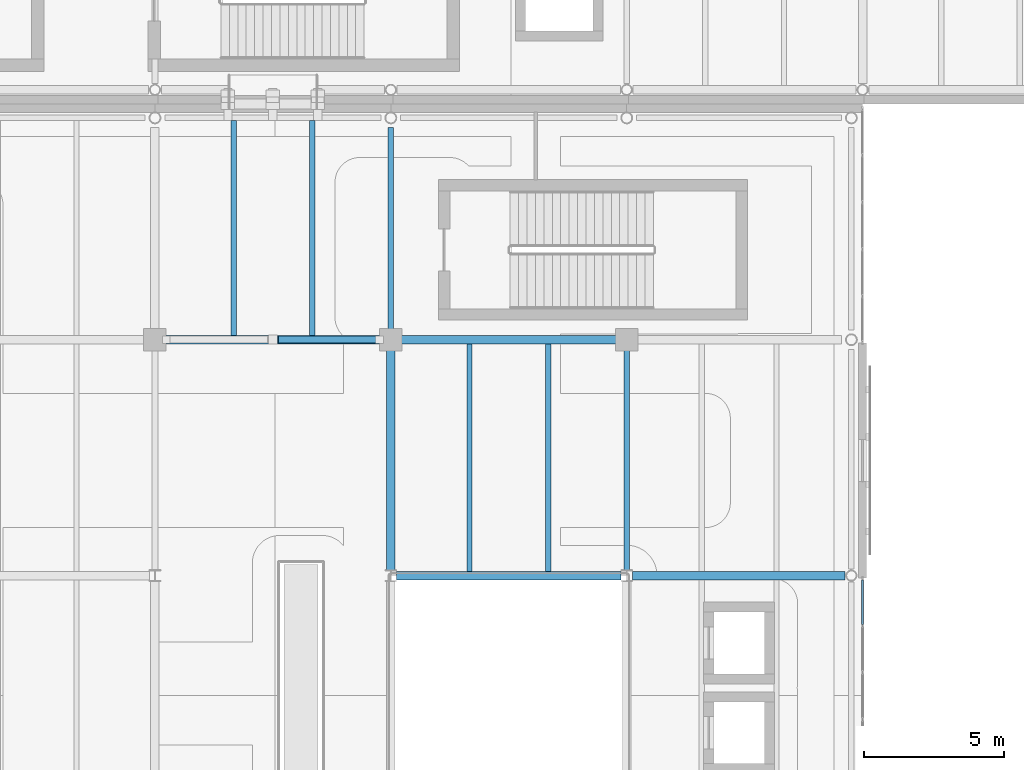
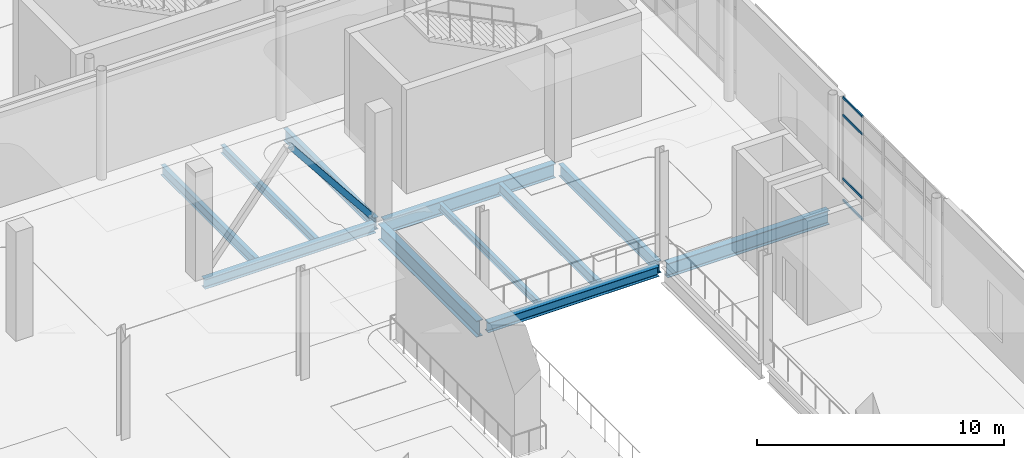
# One storey, part 40 of 110: 11 beams, 5 members, 1 element without a shape of its own.
"""IFC4 building model written with IfcOpenShell, lengths in metres."""

from ifc_helpers import new_model, si_unit, direction, frame, origin, origin_2d, place, context, subcontext, project, spatial, hollow_rectangle, i_section, extrude, material, layer, layer_set, material_profile, profile_set, type_object, element, aggregate, save


model = new_model("IFC4")

# Units and contexts
model_context = context("Model", 3, precision=1e-05, world=origin(), true_north=direction((0.0, 1.0)))
body_context = subcontext(model_context, "Body", "Model", "MODEL_VIEW")
ifc_project = project(units=[si_unit("LENGTHUNIT", "METRE"), si_unit("AREAUNIT", "SQUARE_METRE"), si_unit("VOLUMEUNIT", "CUBIC_METRE"), si_unit("PLANEANGLEUNIT", "RADIAN"), si_unit("MASSUNIT", "GRAM", prefix="KILO"), si_unit("THERMODYNAMICTEMPERATUREUNIT", "KELVIN")], contexts=[model_context])

# Site, building, storey
site_placement = place(None, origin())
site = spatial("IfcSite", under=ifc_project, at=site_placement, CompositionType="ELEMENT")
building_placement = place(site_placement, origin())
building = spatial("IfcBuilding", under=site, at=building_placement, Name="Lustrewick Department Store", CompositionType="ELEMENT")
storey_placement = place(building_placement, frame((0.0, 0.0, 6.0)))
storey = spatial("IfcBuildingStorey", under=building, at=storey_placement, Name="L02", CompositionType="ELEMENT", Elevation=6.0)

# Beams
ifc_material_1 = material(Name="Structural steel Q355B", Category="steel")
ifc_material_profile_1 = material_profile(ifc_material_1, i_section(OverallWidth=0.199951171875, OverallDepth=0.5, WebThickness=0.010009765625, FlangeThickness=0.01611328125, FilletRadius=0.01611328125, at=origin_2d()), Name="HN 500x200x10x16")
ifc_profile_set_1 = profile_set([ifc_material_profile_1], Name="Structural steel Q355B")
beam_type_1 = type_object("IfcBeamType", Name="B01", PredefinedType="JOIST", material=ifc_profile_set_1)
beam_1_placement = place(storey_placement, frame((140.0, 33.75, -0.5048828125), z_axis=(0.0, 1.0, 0.0), x_axis=(-1.0, 0.0, 0.0)))
element("IfcBeam", 1, at=beam_1_placement, inside=storey, type_object=beam_type_1, Name="L02 V3 Secondary Joist B01", PredefinedType="JOIST", context=body_context, shape_type="SweptSolid", body=[
    extrude(i_section(OverallWidth=0.199951171875, OverallDepth=0.5, WebThickness=0.010009765625, FlangeThickness=0.01611328125, FilletRadius=0.01611328125, at=origin_2d()), origin(), (0.0, 0.0, 1.0), 8.10009765625),
])
ifc_material_profile_2 = material_profile(ifc_material_1, i_section(OverallWidth=0.198974609375, OverallDepth=0.49609375, WebThickness=0.009033203125, FlangeThickness=0.013916015625, FilletRadius=0.01611328125, at=origin_2d()), Name="HN 496x199x9x14")
ifc_profile_set_2 = profile_set([ifc_material_profile_2], Name="Structural steel Q355B")
beam_type_2 = type_object("IfcBeamType", Name="B02", PredefinedType="JOIST", material=ifc_profile_set_2)
beam_2_placement = place(storey_placement, frame((128.800048828125, 42.14990234375, -0.5029296875), z_axis=(0.0, 1.0, 0.0), x_axis=(-1.0, 0.0, 0.0)))
element("IfcBeam", 2, at=beam_2_placement, inside=storey, type_object=beam_type_2, Name="L02 V3 Secondary Joist B02", PredefinedType="JOIST", context=body_context, shape_type="SweptSolid", body=[
    extrude(i_section(OverallWidth=0.198974609375, OverallDepth=0.49609375, WebThickness=0.009033203125, FlangeThickness=0.013916015625, FilletRadius=0.01611328125, at=origin_2d()), origin(), (0.0, 0.0, 1.0), 7.649658203125),
])
ifc_material_profile_3 = material_profile(ifc_material_1, i_section(OverallWidth=0.198974609375, OverallDepth=0.39599609375, WebThickness=0.007080078125, FlangeThickness=0.010986328125, FilletRadius=0.013916015625, at=origin_2d()), Name="HN 396x199x7x11")
ifc_profile_set_3 = profile_set([ifc_material_profile_3], Name="Structural steel Q355B")
beam_type_3 = type_object("IfcBeamType", Name="B06", PredefinedType="JOIST", material=ifc_profile_set_3)
beam_3_placement = place(storey_placement, frame((131.60009765625, 42.14990234375, -0.452880859375), z_axis=(0.0, 1.0, 0.0), x_axis=(-1.0, 0.0, 0.0)))
element("IfcBeam", 3, at=beam_3_placement, inside=storey, type_object=beam_type_3, Name="L02 V3 Secondary Joist B06", PredefinedType="JOIST", context=body_context, shape_type="SweptSolid", body=[
    extrude(i_section(OverallWidth=0.198974609375, OverallDepth=0.39599609375, WebThickness=0.007080078125, FlangeThickness=0.010986328125, FilletRadius=0.013916015625, at=origin_2d()), origin(), (0.0, 0.0, 1.0), 7.649658203125),
])
ifc_material_profile_4 = material_profile(ifc_material_1, i_section(OverallWidth=0.174072265625, OverallDepth=0.345947265625, WebThickness=0.006103515625, FlangeThickness=0.009033203125, FilletRadius=0.012939453125, at=origin_2d()), Name="HN 346x174x6x9")
ifc_profile_set_4 = profile_set([ifc_material_profile_4], Name="Structural steel Q355B")
beam_type_4 = type_object("IfcBeamType", Name="B10", PredefinedType="JOIST", material=ifc_profile_set_4)
beam_4_placement = place(storey_placement, frame((137.199951171875, 33.75, -0.427978515625), z_axis=(0.0, 1.0, 0.0), x_axis=(-1.0, 0.0, 0.0)))
element("IfcBeam", 4, at=beam_4_placement, inside=storey, type_object=beam_type_4, Name="L02 V3 Secondary Joist B10", PredefinedType="JOIST", context=body_context, shape_type="SweptSolid", body=[
    extrude(i_section(OverallWidth=0.174072265625, OverallDepth=0.345947265625, WebThickness=0.006103515625, FlangeThickness=0.009033203125, FilletRadius=0.012939453125, at=origin_2d()), origin(), (0.0, 0.0, 1.0), 8.10009765625),
])

# Member
ifc_material_2 = material(Name="Structural steel Q355C", Category="steel")
ifc_material_profile_5 = material_profile(ifc_material_2, hollow_rectangle(XDim=0.25, YDim=0.25, WallThickness=0.010009765625, at=origin_2d()), Name="SHS 250x250x10")
ifc_profile_set_5 = profile_set([ifc_material_profile_5], Name="Structural steel Q355C")
member_type_1 = type_object("IfcMemberType", Name="BR07", PredefinedType="BRACE", material=ifc_profile_set_5)
member_1_placement = place(storey_placement, frame((134.0, 42.0, 0.14990234375), z_axis=(-0.623044181837, 0.0, 0.782186644912), x_axis=(0.0, -1.0, 0.0)))
element("IfcMember", 5, at=member_1_placement, inside=storey, type_object=member_type_1, Name="L02 V3 Chevron Brace BR07", PredefinedType="BRACE", context=body_context, shape_type="SweptSolid", body=[
    extrude(hollow_rectangle(XDim=0.25, YDim=0.25, WallThickness=0.010009765625, at=origin_2d()), origin(), (0.0, 0.0, 1.0), 5.9384765625),
])

# Curtain wall, members
ifc_material_3 = material(Name="Thermally broken aluminium 6063-T5", Category="aluminium")
ifc_layer = layer(ifc_material_3, 0.14990234375, Name="Thermally broken aluminium 6063-T5")
ifc_layer_set = layer_set([ifc_layer], Name="Thermally broken aluminium 6063-T5")
curtain_wall_type = type_object("IfcCurtainWallType", Name="CW05", PredefinedType="NOTDEFINED", material=ifc_layer_set)
curtain_wall_placement = place(storey_placement, origin())
curtain_wall = element("IfcCurtainWall", 6, at=curtain_wall_placement, inside=storey, type_object=curtain_wall_type, Name="L02 V3 Curtain Wall CW05", PredefinedType="NOTDEFINED")
ifc_material_profile_6 = material_profile(ifc_material_3, hollow_rectangle(XDim=0.06005859375, YDim=0.110107421875, WallThickness=0.0029296875, at=origin_2d()), Name="ALU-T 60x110x3")
ifc_profile_set_6 = profile_set([ifc_material_profile_6], Name="Thermally broken aluminium 6063-T5")
member_type_2 = type_object("IfcMemberType", Name="CW05-T1", PredefinedType="USERDEFINED", material=ifc_profile_set_6)
member_2_placement = place(storey_placement, frame((151.199951171875, 31.865966796875, 0.030029296875), z_axis=(0.0, 1.0, 0.0), x_axis=(-1.0, 0.0, 0.0)))
member_2 = element("IfcMember", 7, at=member_2_placement, type_object=member_type_2, Name="CW05 transom 5.1", ObjectType="TRANSOM", PredefinedType="USERDEFINED", context=body_context, shape_type="SweptSolid", body=[
    extrude(hollow_rectangle(XDim=0.06005859375, YDim=0.110107421875, WallThickness=0.0029296875, at=origin_2d()), origin(), (0.0, 0.0, 1.0), 1.583984375),
])
member_3_placement = place(storey_placement, frame((151.199951171875, 31.865966796875, 1.10009765625), z_axis=(0.0, 1.0, 0.0), x_axis=(-1.0, 0.0, 0.0)))
member_3 = element("IfcMember", 8, at=member_3_placement, type_object=member_type_2, Name="CW05 transom 5.2", ObjectType="TRANSOM", PredefinedType="USERDEFINED", context=body_context, shape_type="SweptSolid", body=[
    extrude(hollow_rectangle(XDim=0.06005859375, YDim=0.110107421875, WallThickness=0.0029296875, at=origin_2d()), origin(), (0.0, 0.0, 1.0), 1.583984375),
])
member_4_placement = place(storey_placement, frame((151.199951171875, 31.865966796875, 4.2451171875), z_axis=(0.0, 1.0, 0.0), x_axis=(-1.0, 0.0, 0.0)))
member_4 = element("IfcMember", 9, at=member_4_placement, type_object=member_type_2, Name="CW05 transom 5.3", ObjectType="TRANSOM", PredefinedType="USERDEFINED", context=body_context, shape_type="SweptSolid", body=[
    extrude(hollow_rectangle(XDim=0.06005859375, YDim=0.110107421875, WallThickness=0.0029296875, at=origin_2d()), origin(), (0.0, 0.0, 1.0), 1.583984375),
])
member_5_placement = place(storey_placement, frame((151.199951171875, 31.865966796875, 5.114990234375), z_axis=(0.0, 1.0, 0.0), x_axis=(-1.0, 0.0, 0.0)))
member_5 = element("IfcMember", 10, at=member_5_placement, type_object=member_type_2, Name="CW05 transom 5.4", ObjectType="TRANSOM", PredefinedType="USERDEFINED", context=body_context, shape_type="SweptSolid", body=[
    extrude(hollow_rectangle(XDim=0.06005859375, YDim=0.110107421875, WallThickness=0.0029296875, at=origin_2d()), origin(), (0.0, 0.0, 1.0), 1.583984375),
])
aggregate(curtain_wall, [member_2, member_3, member_4, member_5])

# Beams
ifc_material_profile_7 = material_profile(ifc_material_1, i_section(OverallWidth=0.300048828125, OverallDepth=0.800048828125, WebThickness=0.013916015625, FlangeThickness=0.02587890625, FilletRadius=0.02197265625, at=origin_2d()), Name="HN 800x300x14x26")
ifc_profile_set_7 = profile_set([ifc_material_profile_7], Name="Structural steel Q355B")
beam_type_5 = type_object("IfcBeamType", Name="G05", PredefinedType="BEAM", material=ifc_profile_set_7)
beam_5_placement = place(storey_placement, frame((134.39990234375, 33.806884765625, -0.655029296875), z_axis=(0.0, 1.0, 0.0), x_axis=(-1.0, 0.0, 0.0)))
element("IfcBeam", 11, at=beam_5_placement, inside=storey, type_object=beam_type_5, Name="L02 V3 Girder G05", PredefinedType="BEAM", context=body_context, shape_type="SweptSolid", body=[
    extrude(i_section(OverallWidth=0.300048828125, OverallDepth=0.800048828125, WebThickness=0.013916015625, FlangeThickness=0.02587890625, FilletRadius=0.02197265625, at=origin_2d()), origin(), (0.0, 0.0, 1.0), 7.9931640625),
])
ifc_material_profile_8 = material_profile(ifc_material_1, i_section(OverallWidth=0.300048828125, OverallDepth=0.699951171875, WebThickness=0.012939453125, FlangeThickness=0.02392578125, FilletRadius=0.02001953125, at=origin_2d()), Name="HN 700x300x13x24")
ifc_profile_set_8 = profile_set([ifc_material_profile_8], Name="Structural steel Q355B")
beam_type_6 = type_object("IfcBeamType", Name="G08", PredefinedType="BEAM", material=ifc_profile_set_8)
beam_6_placement = place(storey_placement, frame((143.00244140625, 33.60009765625, -0.60498046875), z_axis=(1.0, 0.0, 0.0), x_axis=(0.0, 1.0, 0.0)))
element("IfcBeam", 12, at=beam_6_placement, inside=storey, type_object=beam_type_6, Name="L02 V3 Girder G08", PredefinedType="BEAM", context=body_context, shape_type="SweptSolid", body=[
    extrude(i_section(OverallWidth=0.300048828125, OverallDepth=0.699951171875, WebThickness=0.012939453125, FlangeThickness=0.02392578125, FilletRadius=0.02001953125, at=origin_2d()), origin(), (0.0, 0.0, 1.0), 7.569091796875),
])
beam_7_placement = place(storey_placement, frame((134.60009765625, 42.0, -0.60498046875), z_axis=(1.0, 0.0, 0.0), x_axis=(0.0, 1.0, 0.0)))
element("IfcBeam", 13, at=beam_7_placement, inside=storey, type_object=beam_type_6, Name="L02 V3 Girder G08", PredefinedType="BEAM", context=body_context, shape_type="SweptSolid", body=[
    extrude(i_section(OverallWidth=0.300048828125, OverallDepth=0.699951171875, WebThickness=0.012939453125, FlangeThickness=0.02392578125, FilletRadius=0.02001953125, at=origin_2d()), origin(), (0.0, 0.0, 1.0), 8.0),
])
ifc_material_profile_9 = material_profile(ifc_material_1, i_section(OverallWidth=0.200927734375, OverallDepth=0.60595703125, WebThickness=0.011962890625, FlangeThickness=0.02001953125, FilletRadius=0.01806640625, at=origin_2d()), Name="HN 606x201x12x20")
ifc_profile_set_9 = profile_set([ifc_material_profile_9], Name="Structural steel Q355B")
beam_type_7 = type_object("IfcBeamType", Name="G13", PredefinedType="BEAM", material=ifc_profile_set_9)
beam_8_placement = place(storey_placement, frame((134.39990234375, 42.199951171875, -0.55810546875), z_axis=(0.0, 1.0, 0.0), x_axis=(-1.0, 0.0, 0.0)))
element("IfcBeam", 14, at=beam_8_placement, inside=storey, type_object=beam_type_7, Name="L02 V3 Girder G13", PredefinedType="BEAM", context=body_context, shape_type="SweptSolid", body=[
    extrude(i_section(OverallWidth=0.200927734375, OverallDepth=0.60595703125, WebThickness=0.011962890625, FlangeThickness=0.02001953125, FilletRadius=0.01806640625, at=origin_2d()), origin(), (0.0, 0.0, 1.0), 7.35009765625),
])
beam_9_placement = place(storey_placement, frame((142.800048828125, 33.806884765625, -0.55810546875), z_axis=(0.0, 1.0, 0.0), x_axis=(-1.0, 0.0, 0.0)))
element("IfcBeam", 15, at=beam_9_placement, inside=storey, type_object=beam_type_7, Name="L02 V3 Girder G13", PredefinedType="BEAM", context=body_context, shape_type="SweptSolid", body=[
    extrude(i_section(OverallWidth=0.200927734375, OverallDepth=0.60595703125, WebThickness=0.011962890625, FlangeThickness=0.02001953125, FilletRadius=0.01806640625, at=origin_2d()), origin(), (0.0, 0.0, 1.0), 7.9931640625),
])
ifc_material_profile_10 = material_profile(ifc_material_1, i_section(OverallWidth=0.300048828125, OverallDepth=0.48193359375, WebThickness=0.010986328125, FlangeThickness=0.014892578125, FilletRadius=0.02197265625, at=origin_2d()), Name="HM 482x300x11x15")
ifc_profile_set_10 = profile_set([ifc_material_profile_10], Name="Structural steel Q355B")
beam_type_8 = type_object("IfcBeamType", Name="G20", PredefinedType="BEAM", material=ifc_profile_set_10)
beam_10_placement = place(storey_placement, frame((134.6025390625, 33.60009765625, -0.49609375), z_axis=(1.0, 0.0, 0.0), x_axis=(0.0, 1.0, 0.0)))
element("IfcBeam", 16, at=beam_10_placement, inside=storey, type_object=beam_type_8, Name="L02 V3 Girder G20", PredefinedType="BEAM", context=body_context, shape_type="SweptSolid", body=[
    extrude(i_section(OverallWidth=0.300048828125, OverallDepth=0.48193359375, WebThickness=0.010986328125, FlangeThickness=0.014892578125, FilletRadius=0.02197265625, at=origin_2d()), origin(), (0.0, 0.0, 1.0), 7.994873046875),
])
beam_11_placement = place(storey_placement, frame((126.199951171875, 42.0, -0.49609375), z_axis=(1.0, 0.0, 0.0), x_axis=(0.0, 1.0, 0.0)))
element("IfcBeam", 17, at=beam_11_placement, inside=storey, type_object=beam_type_8, Name="L02 V3 Girder G20", PredefinedType="BEAM", context=body_context, shape_type="SweptSolid", body=[
    extrude(i_section(OverallWidth=0.300048828125, OverallDepth=0.48193359375, WebThickness=0.010986328125, FlangeThickness=0.014892578125, FilletRadius=0.02197265625, at=origin_2d()), origin(), (0.0, 0.0, 1.0), 8.0),
])

save(model, "model.ifc")
